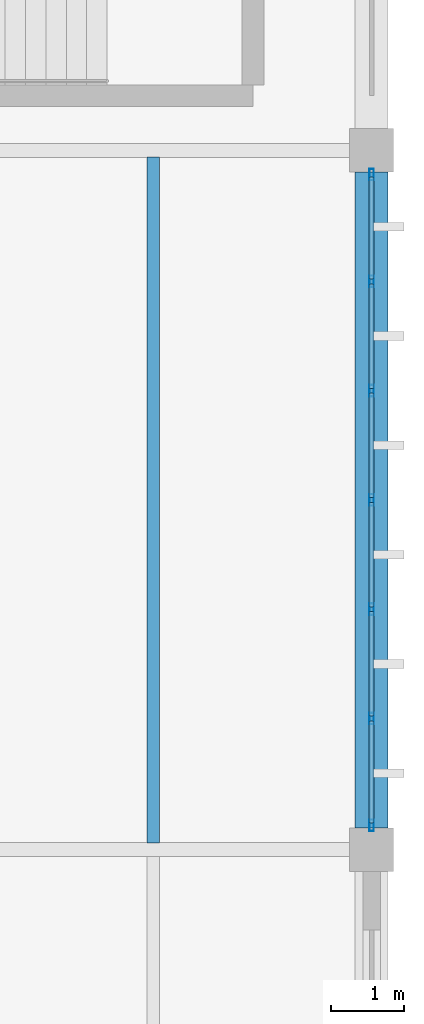
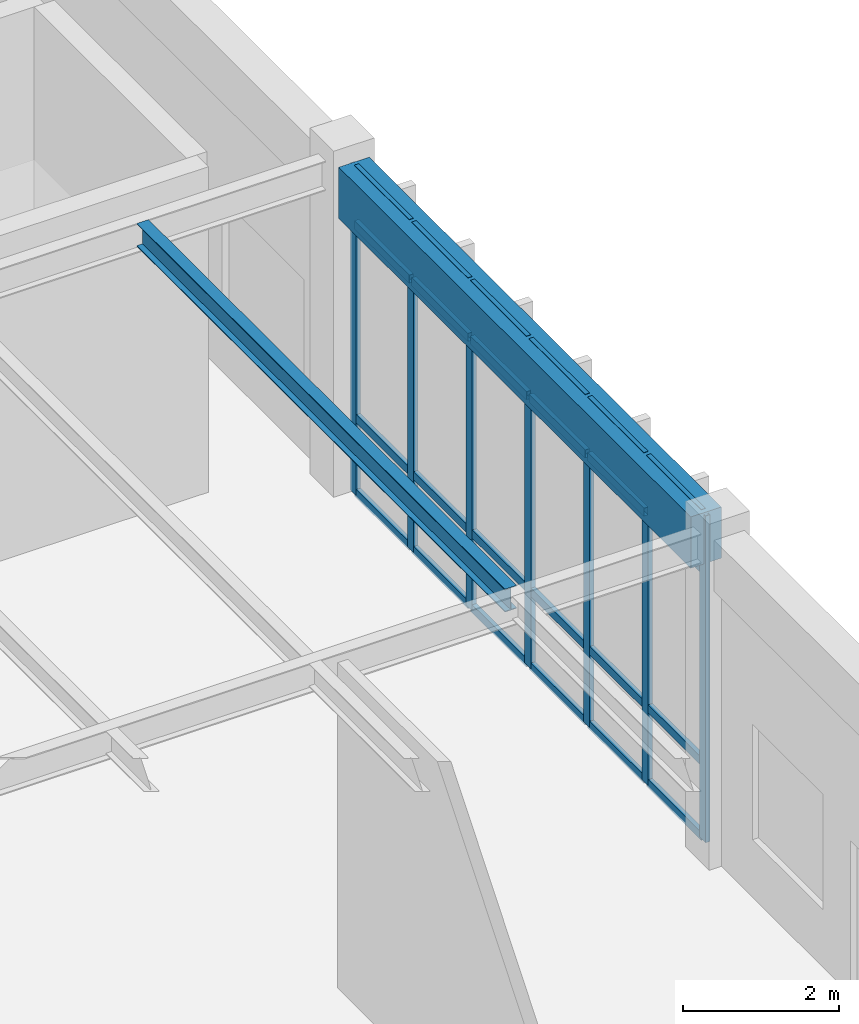
# One storey, part 96 of 188: 31 members, 2 beams, 1 element without a shape of its own.
"""IFC4 building model written with IfcOpenShell, lengths in metres."""

from ifc_helpers import new_model, si_unit, direction, frame, origin, origin_2d, place, context, subcontext, project, spatial, rectangle, hollow_rectangle, i_section, extrude, material, layer, layer_set, material_profile, profile_set, type_object, element, aggregate, save


model = new_model("IFC4")

# Units and contexts
model_context = context("Model", 3, precision=1e-05, world=origin(), true_north=direction((0.0, 1.0)))
body_context = subcontext(model_context, "Body", "Model", "MODEL_VIEW")
ifc_project = project(units=[si_unit("LENGTHUNIT", "METRE"), si_unit("AREAUNIT", "SQUARE_METRE"), si_unit("VOLUMEUNIT", "CUBIC_METRE"), si_unit("PLANEANGLEUNIT", "RADIAN"), si_unit("MASSUNIT", "GRAM", prefix="KILO")], contexts=[model_context])

# Site, building, storey
site_placement = place(None, origin())
site = spatial("IfcSite", under=ifc_project, at=site_placement, CompositionType="ELEMENT")
building_placement = place(site_placement, origin())
building = spatial("IfcBuilding", under=site, at=building_placement, Name="Pandanus Reach Market Hall", CompositionType="ELEMENT")
storey_placement = place(building_placement, origin())
storey = spatial("IfcBuildingStorey", under=building, at=storey_placement, Name="L00", CompositionType="ELEMENT", Elevation=0.0)

# Beam
ifc_material_1 = material(Name="Concrete N40 (40 MPa)", Category="concrete")
ifc_material_profile_1 = material_profile(ifc_material_1, rectangle(XDim=0.449951171875, YDim=0.800048828125, at=origin_2d()), Name="RC450x800", Category="LoadBearing")
ifc_profile_set_1 = profile_set([ifc_material_profile_1], Name="Concrete N40 (40 MPa)")
beam_type_1 = type_object("IfcBeamType", Name="BM-RC450-E", PredefinedType="SPANDREL", material=ifc_profile_set_1)
beam_1_placement = place(storey_placement, frame((180.0, 19.498046875, 4.72509765625), z_axis=(0.0, 1.0, 0.0), x_axis=(-1.0, 0.0, 0.0)))
element("IfcBeam", 1, at=beam_1_placement, inside=storey, type_object=beam_type_1, Name="Framing beam BM-RC450-E L00.220", PredefinedType="SPANDREL", context=body_context, shape_type="SweptSolid", body=[
    extrude(rectangle(XDim=0.449951171875, YDim=0.800048828125, at=origin_2d()), origin(), (0.0, 0.0, 1.0), 9.00390625),
])

# Curtain wall, members
ifc_material_2 = material(Name="Bronze anodised aluminium and low-E glass", Category="aluminium")
ifc_layer = layer(ifc_material_2, 0.159912109375, Name="CW-25")
ifc_layer_set = layer_set([ifc_layer], Name="Bronze anodised aluminium and low-E glass")
curtain_wall_type = type_object("IfcCurtainWallType", Name="CW-25", PredefinedType="NOTDEFINED", material=ifc_layer_set)
curtain_wall_placement = place(storey_placement, origin())
curtain_wall = element("IfcCurtainWall", 2, at=curtain_wall_placement, inside=storey, type_object=curtain_wall_type, Name="Glazed curtain wall CW-25 CW-0071", PredefinedType="NOTDEFINED")
ifc_material_3 = material(Name="Bronze anodised aluminium", Category="aluminium")
ifc_material_profile_2 = material_profile(ifc_material_3, hollow_rectangle(XDim=0.06494140625, YDim=0.159912109375, WallThickness=0.00390625, at=origin_2d()), Name="ALU65x160", Category="LoadBearing")
ifc_profile_set_2 = profile_set([ifc_material_profile_2], Name="Bronze anodised aluminium")
member_type_1 = type_object("IfcMemberType", Name="CW-M1", PredefinedType="MULLION", material=ifc_profile_set_2)
member_1_placement = place(storey_placement, frame((180.0, 19.532470703125, 0.0), z_axis=(0.0, 0.0, 1.0), x_axis=(-1.0, 0.0, 0.0)))
member_1 = element("IfcMember", 3, at=member_1_placement, type_object=member_type_1, Name="CW-25 mullion 1", PredefinedType="MULLION", context=body_context, shape_type="SweptSolid", body=[
    extrude(hollow_rectangle(XDim=0.06494140625, YDim=0.159912109375, WallThickness=0.00390625, at=origin_2d()), origin(), (0.0, 0.0, 1.0), 5.10009765625),
])
member_2_placement = place(storey_placement, frame((180.0, 21.0, 0.0), z_axis=(0.0, 0.0, 1.0), x_axis=(-1.0, 0.0, 0.0)))
member_2 = element("IfcMember", 4, at=member_2_placement, type_object=member_type_1, Name="CW-25 mullion 2", PredefinedType="MULLION", context=body_context, shape_type="SweptSolid", body=[
    extrude(hollow_rectangle(XDim=0.06494140625, YDim=0.159912109375, WallThickness=0.00390625, at=origin_2d()), origin(), (0.0, 0.0, 1.0), 5.10009765625),
])
member_3_placement = place(storey_placement, frame((180.0, 22.5, 0.0), z_axis=(0.0, 0.0, 1.0), x_axis=(-1.0, 0.0, 0.0)))
member_3 = element("IfcMember", 5, at=member_3_placement, type_object=member_type_1, Name="CW-25 mullion 3", PredefinedType="MULLION", context=body_context, shape_type="SweptSolid", body=[
    extrude(hollow_rectangle(XDim=0.06494140625, YDim=0.159912109375, WallThickness=0.00390625, at=origin_2d()), origin(), (0.0, 0.0, 1.0), 5.10009765625),
])
member_4_placement = place(storey_placement, frame((180.0, 24.0, 0.0), z_axis=(0.0, 0.0, 1.0), x_axis=(-1.0, 0.0, 0.0)))
member_4 = element("IfcMember", 6, at=member_4_placement, type_object=member_type_1, Name="CW-25 mullion 4", PredefinedType="MULLION", context=body_context, shape_type="SweptSolid", body=[
    extrude(hollow_rectangle(XDim=0.06494140625, YDim=0.159912109375, WallThickness=0.00390625, at=origin_2d()), origin(), (0.0, 0.0, 1.0), 5.10009765625),
])
member_5_placement = place(storey_placement, frame((180.0, 25.5, 0.0), z_axis=(0.0, 0.0, 1.0), x_axis=(-1.0, 0.0, 0.0)))
member_5 = element("IfcMember", 7, at=member_5_placement, type_object=member_type_1, Name="CW-25 mullion 5", PredefinedType="MULLION", context=body_context, shape_type="SweptSolid", body=[
    extrude(hollow_rectangle(XDim=0.06494140625, YDim=0.159912109375, WallThickness=0.00390625, at=origin_2d()), origin(), (0.0, 0.0, 1.0), 5.10009765625),
])
member_6_placement = place(storey_placement, frame((180.0, 27.0, 0.0), z_axis=(0.0, 0.0, 1.0), x_axis=(-1.0, 0.0, 0.0)))
member_6 = element("IfcMember", 8, at=member_6_placement, type_object=member_type_1, Name="CW-25 mullion 6", PredefinedType="MULLION", context=body_context, shape_type="SweptSolid", body=[
    extrude(hollow_rectangle(XDim=0.06494140625, YDim=0.159912109375, WallThickness=0.00390625, at=origin_2d()), origin(), (0.0, 0.0, 1.0), 5.10009765625),
])
member_7_placement = place(storey_placement, frame((180.0, 28.467529296875, 0.0), z_axis=(0.0, 0.0, 1.0), x_axis=(-1.0, 0.0, 0.0)))
member_7 = element("IfcMember", 9, at=member_7_placement, type_object=member_type_1, Name="CW-25 mullion 7", PredefinedType="MULLION", context=body_context, shape_type="SweptSolid", body=[
    extrude(hollow_rectangle(XDim=0.06494140625, YDim=0.159912109375, WallThickness=0.00390625, at=origin_2d()), origin(), (0.0, 0.0, 1.0), 5.10009765625),
])
ifc_material_profile_3 = material_profile(ifc_material_3, hollow_rectangle(XDim=0.06494140625, YDim=0.1298828125, WallThickness=0.00390625, at=origin_2d()), Name="ALU65x130", Category="LoadBearing")
ifc_profile_set_3 = profile_set([ifc_material_profile_3], Name="Bronze anodised aluminium")
member_type_2 = type_object("IfcMemberType", Name="CW-T1", PredefinedType="USERDEFINED", material=ifc_profile_set_3)
member_8_placement = place(storey_placement, frame((180.0, 19.56494140625, 0.032470703125), z_axis=(0.0, 1.0, 0.0), x_axis=(-1.0, 0.0, 0.0)))
member_8 = element("IfcMember", 10, at=member_8_placement, type_object=member_type_2, Name="CW-25 transom 1.1", ObjectType="TRANSOM", PredefinedType="USERDEFINED", context=body_context, shape_type="SweptSolid", body=[
    extrude(hollow_rectangle(XDim=0.06494140625, YDim=0.1298828125, WallThickness=0.00390625, at=origin_2d()), origin(), (0.0, 0.0, 1.0), 1.402587890625),
])
member_9_placement = place(storey_placement, frame((180.0, 19.56494140625, 1.199951171875), z_axis=(0.0, 1.0, 0.0), x_axis=(-1.0, 0.0, 0.0)))
member_9 = element("IfcMember", 11, at=member_9_placement, type_object=member_type_2, Name="CW-25 transom 1.2", ObjectType="TRANSOM", PredefinedType="USERDEFINED", context=body_context, shape_type="SweptSolid", body=[
    extrude(hollow_rectangle(XDim=0.06494140625, YDim=0.1298828125, WallThickness=0.00390625, at=origin_2d()), origin(), (0.0, 0.0, 1.0), 1.402587890625),
])
member_10_placement = place(storey_placement, frame((180.0, 19.56494140625, 4.199951171875), z_axis=(0.0, 1.0, 0.0), x_axis=(-1.0, 0.0, 0.0)))
member_10 = element("IfcMember", 12, at=member_10_placement, type_object=member_type_2, Name="CW-25 transom 1.3", ObjectType="TRANSOM", PredefinedType="USERDEFINED", context=body_context, shape_type="SweptSolid", body=[
    extrude(hollow_rectangle(XDim=0.06494140625, YDim=0.1298828125, WallThickness=0.00390625, at=origin_2d()), origin(), (0.0, 0.0, 1.0), 1.402587890625),
])
member_11_placement = place(storey_placement, frame((180.0, 19.56494140625, 5.0673828125), z_axis=(0.0, 1.0, 0.0), x_axis=(-1.0, 0.0, 0.0)))
member_11 = element("IfcMember", 13, at=member_11_placement, type_object=member_type_2, Name="CW-25 transom 1.4", ObjectType="TRANSOM", PredefinedType="USERDEFINED", context=body_context, shape_type="SweptSolid", body=[
    extrude(hollow_rectangle(XDim=0.06494140625, YDim=0.1298828125, WallThickness=0.00390625, at=origin_2d()), origin(), (0.0, 0.0, 1.0), 1.402587890625),
])
member_12_placement = place(storey_placement, frame((180.0, 21.032470703125, 0.032470703125), z_axis=(0.0, 1.0, 0.0), x_axis=(-1.0, 0.0, 0.0)))
member_12 = element("IfcMember", 14, at=member_12_placement, type_object=member_type_2, Name="CW-25 transom 2.1", ObjectType="TRANSOM", PredefinedType="USERDEFINED", context=body_context, shape_type="SweptSolid", body=[
    extrude(hollow_rectangle(XDim=0.06494140625, YDim=0.1298828125, WallThickness=0.00390625, at=origin_2d()), origin(), (0.0, 0.0, 1.0), 1.43505859375),
])
member_13_placement = place(storey_placement, frame((180.0, 21.032470703125, 1.199951171875), z_axis=(0.0, 1.0, 0.0), x_axis=(-1.0, 0.0, 0.0)))
member_13 = element("IfcMember", 15, at=member_13_placement, type_object=member_type_2, Name="CW-25 transom 2.2", ObjectType="TRANSOM", PredefinedType="USERDEFINED", context=body_context, shape_type="SweptSolid", body=[
    extrude(hollow_rectangle(XDim=0.06494140625, YDim=0.1298828125, WallThickness=0.00390625, at=origin_2d()), origin(), (0.0, 0.0, 1.0), 1.43505859375),
])
member_14_placement = place(storey_placement, frame((180.0, 21.032470703125, 4.199951171875), z_axis=(0.0, 1.0, 0.0), x_axis=(-1.0, 0.0, 0.0)))
member_14 = element("IfcMember", 16, at=member_14_placement, type_object=member_type_2, Name="CW-25 transom 2.3", ObjectType="TRANSOM", PredefinedType="USERDEFINED", context=body_context, shape_type="SweptSolid", body=[
    extrude(hollow_rectangle(XDim=0.06494140625, YDim=0.1298828125, WallThickness=0.00390625, at=origin_2d()), origin(), (0.0, 0.0, 1.0), 1.43505859375),
])
member_15_placement = place(storey_placement, frame((180.0, 21.032470703125, 5.0673828125), z_axis=(0.0, 1.0, 0.0), x_axis=(-1.0, 0.0, 0.0)))
member_15 = element("IfcMember", 17, at=member_15_placement, type_object=member_type_2, Name="CW-25 transom 2.4", ObjectType="TRANSOM", PredefinedType="USERDEFINED", context=body_context, shape_type="SweptSolid", body=[
    extrude(hollow_rectangle(XDim=0.06494140625, YDim=0.1298828125, WallThickness=0.00390625, at=origin_2d()), origin(), (0.0, 0.0, 1.0), 1.43505859375),
])
member_16_placement = place(storey_placement, frame((180.0, 22.532470703125, 0.032470703125), z_axis=(0.0, 1.0, 0.0), x_axis=(-1.0, 0.0, 0.0)))
member_16 = element("IfcMember", 18, at=member_16_placement, type_object=member_type_2, Name="CW-25 transom 3.1", ObjectType="TRANSOM", PredefinedType="USERDEFINED", context=body_context, shape_type="SweptSolid", body=[
    extrude(hollow_rectangle(XDim=0.06494140625, YDim=0.1298828125, WallThickness=0.00390625, at=origin_2d()), origin(), (0.0, 0.0, 1.0), 1.43505859375),
])
member_17_placement = place(storey_placement, frame((180.0, 22.532470703125, 1.199951171875), z_axis=(0.0, 1.0, 0.0), x_axis=(-1.0, 0.0, 0.0)))
member_17 = element("IfcMember", 19, at=member_17_placement, type_object=member_type_2, Name="CW-25 transom 3.2", ObjectType="TRANSOM", PredefinedType="USERDEFINED", context=body_context, shape_type="SweptSolid", body=[
    extrude(hollow_rectangle(XDim=0.06494140625, YDim=0.1298828125, WallThickness=0.00390625, at=origin_2d()), origin(), (0.0, 0.0, 1.0), 1.43505859375),
])
member_18_placement = place(storey_placement, frame((180.0, 22.532470703125, 4.199951171875), z_axis=(0.0, 1.0, 0.0), x_axis=(-1.0, 0.0, 0.0)))
member_18 = element("IfcMember", 20, at=member_18_placement, type_object=member_type_2, Name="CW-25 transom 3.3", ObjectType="TRANSOM", PredefinedType="USERDEFINED", context=body_context, shape_type="SweptSolid", body=[
    extrude(hollow_rectangle(XDim=0.06494140625, YDim=0.1298828125, WallThickness=0.00390625, at=origin_2d()), origin(), (0.0, 0.0, 1.0), 1.43505859375),
])
member_19_placement = place(storey_placement, frame((180.0, 22.532470703125, 5.0673828125), z_axis=(0.0, 1.0, 0.0), x_axis=(-1.0, 0.0, 0.0)))
member_19 = element("IfcMember", 21, at=member_19_placement, type_object=member_type_2, Name="CW-25 transom 3.4", ObjectType="TRANSOM", PredefinedType="USERDEFINED", context=body_context, shape_type="SweptSolid", body=[
    extrude(hollow_rectangle(XDim=0.06494140625, YDim=0.1298828125, WallThickness=0.00390625, at=origin_2d()), origin(), (0.0, 0.0, 1.0), 1.43505859375),
])
member_20_placement = place(storey_placement, frame((180.0, 24.032470703125, 0.032470703125), z_axis=(0.0, 1.0, 0.0), x_axis=(-1.0, 0.0, 0.0)))
member_20 = element("IfcMember", 22, at=member_20_placement, type_object=member_type_2, Name="CW-25 transom 4.1", ObjectType="TRANSOM", PredefinedType="USERDEFINED", context=body_context, shape_type="SweptSolid", body=[
    extrude(hollow_rectangle(XDim=0.06494140625, YDim=0.1298828125, WallThickness=0.00390625, at=origin_2d()), origin(), (0.0, 0.0, 1.0), 1.43505859375),
])
member_21_placement = place(storey_placement, frame((180.0, 24.032470703125, 1.199951171875), z_axis=(0.0, 1.0, 0.0), x_axis=(-1.0, 0.0, 0.0)))
member_21 = element("IfcMember", 23, at=member_21_placement, type_object=member_type_2, Name="CW-25 transom 4.2", ObjectType="TRANSOM", PredefinedType="USERDEFINED", context=body_context, shape_type="SweptSolid", body=[
    extrude(hollow_rectangle(XDim=0.06494140625, YDim=0.1298828125, WallThickness=0.00390625, at=origin_2d()), origin(), (0.0, 0.0, 1.0), 1.43505859375),
])
member_22_placement = place(storey_placement, frame((180.0, 24.032470703125, 4.199951171875), z_axis=(0.0, 1.0, 0.0), x_axis=(-1.0, 0.0, 0.0)))
member_22 = element("IfcMember", 24, at=member_22_placement, type_object=member_type_2, Name="CW-25 transom 4.3", ObjectType="TRANSOM", PredefinedType="USERDEFINED", context=body_context, shape_type="SweptSolid", body=[
    extrude(hollow_rectangle(XDim=0.06494140625, YDim=0.1298828125, WallThickness=0.00390625, at=origin_2d()), origin(), (0.0, 0.0, 1.0), 1.43505859375),
])
member_23_placement = place(storey_placement, frame((180.0, 24.032470703125, 5.0673828125), z_axis=(0.0, 1.0, 0.0), x_axis=(-1.0, 0.0, 0.0)))
member_23 = element("IfcMember", 25, at=member_23_placement, type_object=member_type_2, Name="CW-25 transom 4.4", ObjectType="TRANSOM", PredefinedType="USERDEFINED", context=body_context, shape_type="SweptSolid", body=[
    extrude(hollow_rectangle(XDim=0.06494140625, YDim=0.1298828125, WallThickness=0.00390625, at=origin_2d()), origin(), (0.0, 0.0, 1.0), 1.43505859375),
])
member_24_placement = place(storey_placement, frame((180.0, 25.532470703125, 0.032470703125), z_axis=(0.0, 1.0, 0.0), x_axis=(-1.0, 0.0, 0.0)))
member_24 = element("IfcMember", 26, at=member_24_placement, type_object=member_type_2, Name="CW-25 transom 5.1", ObjectType="TRANSOM", PredefinedType="USERDEFINED", context=body_context, shape_type="SweptSolid", body=[
    extrude(hollow_rectangle(XDim=0.06494140625, YDim=0.1298828125, WallThickness=0.00390625, at=origin_2d()), origin(), (0.0, 0.0, 1.0), 1.43505859375),
])
member_25_placement = place(storey_placement, frame((180.0, 25.532470703125, 1.199951171875), z_axis=(0.0, 1.0, 0.0), x_axis=(-1.0, 0.0, 0.0)))
member_25 = element("IfcMember", 27, at=member_25_placement, type_object=member_type_2, Name="CW-25 transom 5.2", ObjectType="TRANSOM", PredefinedType="USERDEFINED", context=body_context, shape_type="SweptSolid", body=[
    extrude(hollow_rectangle(XDim=0.06494140625, YDim=0.1298828125, WallThickness=0.00390625, at=origin_2d()), origin(), (0.0, 0.0, 1.0), 1.43505859375),
])
member_26_placement = place(storey_placement, frame((180.0, 25.532470703125, 4.199951171875), z_axis=(0.0, 1.0, 0.0), x_axis=(-1.0, 0.0, 0.0)))
member_26 = element("IfcMember", 28, at=member_26_placement, type_object=member_type_2, Name="CW-25 transom 5.3", ObjectType="TRANSOM", PredefinedType="USERDEFINED", context=body_context, shape_type="SweptSolid", body=[
    extrude(hollow_rectangle(XDim=0.06494140625, YDim=0.1298828125, WallThickness=0.00390625, at=origin_2d()), origin(), (0.0, 0.0, 1.0), 1.43505859375),
])
member_27_placement = place(storey_placement, frame((180.0, 25.532470703125, 5.0673828125), z_axis=(0.0, 1.0, 0.0), x_axis=(-1.0, 0.0, 0.0)))
member_27 = element("IfcMember", 29, at=member_27_placement, type_object=member_type_2, Name="CW-25 transom 5.4", ObjectType="TRANSOM", PredefinedType="USERDEFINED", context=body_context, shape_type="SweptSolid", body=[
    extrude(hollow_rectangle(XDim=0.06494140625, YDim=0.1298828125, WallThickness=0.00390625, at=origin_2d()), origin(), (0.0, 0.0, 1.0), 1.43505859375),
])
member_28_placement = place(storey_placement, frame((180.0, 27.032470703125, 0.032470703125), z_axis=(0.0, 1.0, 0.0), x_axis=(-1.0, 0.0, 0.0)))
member_28 = element("IfcMember", 30, at=member_28_placement, type_object=member_type_2, Name="CW-25 transom 6.1", ObjectType="TRANSOM", PredefinedType="USERDEFINED", context=body_context, shape_type="SweptSolid", body=[
    extrude(hollow_rectangle(XDim=0.06494140625, YDim=0.1298828125, WallThickness=0.00390625, at=origin_2d()), origin(), (0.0, 0.0, 1.0), 1.402587890625),
])
member_29_placement = place(storey_placement, frame((180.0, 27.032470703125, 1.199951171875), z_axis=(0.0, 1.0, 0.0), x_axis=(-1.0, 0.0, 0.0)))
member_29 = element("IfcMember", 31, at=member_29_placement, type_object=member_type_2, Name="CW-25 transom 6.2", ObjectType="TRANSOM", PredefinedType="USERDEFINED", context=body_context, shape_type="SweptSolid", body=[
    extrude(hollow_rectangle(XDim=0.06494140625, YDim=0.1298828125, WallThickness=0.00390625, at=origin_2d()), origin(), (0.0, 0.0, 1.0), 1.402587890625),
])
member_30_placement = place(storey_placement, frame((180.0, 27.032470703125, 4.199951171875), z_axis=(0.0, 1.0, 0.0), x_axis=(-1.0, 0.0, 0.0)))
member_30 = element("IfcMember", 32, at=member_30_placement, type_object=member_type_2, Name="CW-25 transom 6.3", ObjectType="TRANSOM", PredefinedType="USERDEFINED", context=body_context, shape_type="SweptSolid", body=[
    extrude(hollow_rectangle(XDim=0.06494140625, YDim=0.1298828125, WallThickness=0.00390625, at=origin_2d()), origin(), (0.0, 0.0, 1.0), 1.402587890625),
])
member_31_placement = place(storey_placement, frame((180.0, 27.032470703125, 5.0673828125), z_axis=(0.0, 1.0, 0.0), x_axis=(-1.0, 0.0, 0.0)))
member_31 = element("IfcMember", 33, at=member_31_placement, type_object=member_type_2, Name="CW-25 transom 6.4", ObjectType="TRANSOM", PredefinedType="USERDEFINED", context=body_context, shape_type="SweptSolid", body=[
    extrude(hollow_rectangle(XDim=0.06494140625, YDim=0.1298828125, WallThickness=0.00390625, at=origin_2d()), origin(), (0.0, 0.0, 1.0), 1.402587890625),
])
aggregate(curtain_wall, [member_1, member_2, member_3, member_4, member_5, member_6, member_7, member_8, member_9, member_10, member_11, member_12, member_13, member_14, member_15, member_16, member_17, member_18, member_19, member_20, member_21, member_22, member_23, member_24, member_25, member_26, member_27, member_28, member_29, member_30, member_31])

# Beam
ifc_material_4 = material(Name="Steel Grade 350 (350 MPa)", Category="steel")
ifc_material_profile_4 = material_profile(ifc_material_4, i_section(OverallWidth=0.172119140625, OverallDepth=0.35888671875, WebThickness=0.008056640625, FlangeThickness=0.012939453125, at=origin_2d()), Name="360UB56.7", Category="LoadBearing")
ifc_profile_set_4 = profile_set([ifc_material_profile_4], Name="Steel Grade 350 (350 MPa)")
beam_type_2 = type_object("IfcBeamType", Name="JS-UB360H-I", PredefinedType="JOIST", material=ifc_profile_set_4)
beam_2_placement = place(storey_placement, frame((177.0, 19.29345703125, 4.945068359375), z_axis=(0.0, 1.0, 0.0), x_axis=(-1.0, 0.0, 0.0)))
element("IfcBeam", 34, at=beam_2_placement, inside=storey, type_object=beam_type_2, Name="Secondary joist JS-UB360H-I L00.290", PredefinedType="JOIST", context=body_context, shape_type="SweptSolid", body=[
    extrude(i_section(OverallWidth=0.172119140625, OverallDepth=0.35888671875, WebThickness=0.008056640625, FlangeThickness=0.012939453125, at=origin_2d()), origin(), (0.0, 0.0, 1.0), 9.4130859375),
])

save(model, "model.ifc")
